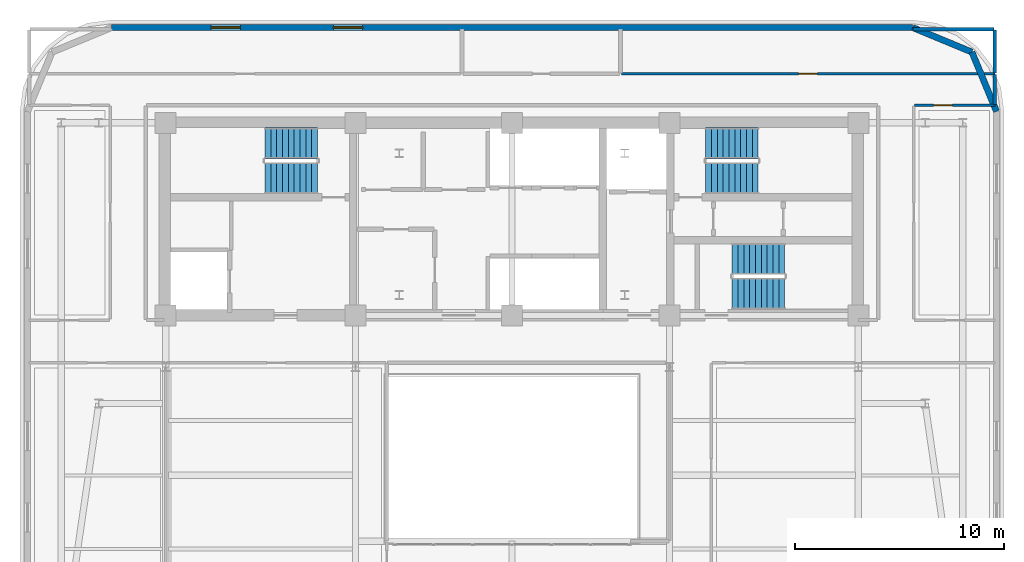
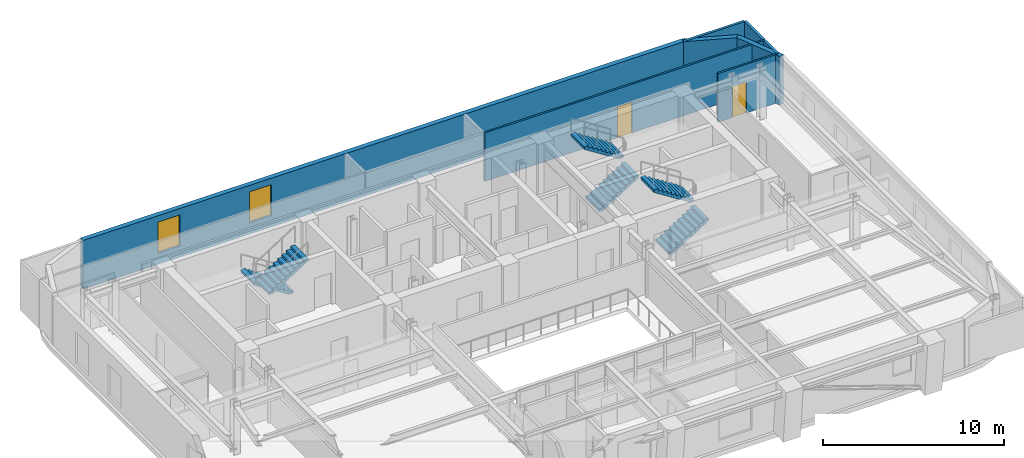
# One storey, part 9 of 13: 8 walls, 6 stair flights, 2 doors, 2 windows, 4 openings, 3 elements without a shape of their own.
"""IFC4 building model written with IfcOpenShell, lengths in metres."""

from ifc_helpers import new_model, si_unit, direction, frame, frame_2d, origin, place, context, subcontext, project, spatial, polyline, rectangle, outline, extrude, material, layer, layer_set, type_object, element, fill, aggregate, save


model = new_model("IFC4")

# Units and contexts
model_context = context("Model", 3, precision=1e-05, world=origin(), true_north=direction((0.0, 1.0)))
body_context = subcontext(model_context, "Body", "Model", "MODEL_VIEW")
ifc_project = project(units=[si_unit("LENGTHUNIT", "METRE"), si_unit("AREAUNIT", "SQUARE_METRE"), si_unit("VOLUMEUNIT", "CUBIC_METRE"), si_unit("PLANEANGLEUNIT", "RADIAN"), si_unit("MASSUNIT", "GRAM", prefix="KILO")], contexts=[model_context])

# Site, building, storey
site_placement = place(None, origin())
site = spatial("IfcSite", under=ifc_project, at=site_placement, CompositionType="ELEMENT")
building_placement = place(site_placement, origin())
building = spatial("IfcBuilding", under=site, at=building_placement, Name="Zarnavel Station Tower", CompositionType="ELEMENT")
storey_placement = place(building_placement, frame((0.0, 0.0, 180.300048828125)))
storey = spatial("IfcBuildingStorey", under=building, at=storey_placement, Name="L49", CompositionType="ELEMENT", Elevation=180.300048828125)

# Walls
ifc_material_1 = material(Name="Precast concrete C45/55 (Dark Basalt Finish)", Category="masonry")
ifc_layer_1 = layer(ifc_material_1, 0.300048828125)
ifc_layer_set_1 = layer_set([ifc_layer_1], Name="EW_BASALT_300")
wall_type_1 = type_object("IfcWallType", Name="EW_BASALT_300", PredefinedType="SOLIDWALL", material=ifc_layer_set_1)
for number, where, z_axis, x_axis, name in (
    (1, (50.842529296875, 40.442626953125, 0.0), (0.0, 0.0, 1.0), (0.382704529509, -0.923870793506, 0.0), "L49 Exterior Basalt Masonry Frame Wall 04"),
    (2, (48.0, 41.6201171875, 0.0), (0.0, 0.0, 1.0), (0.923870793506, -0.382704529509, 0.0), "L49 Exterior Basalt Masonry Frame Wall 05"),
):
    element("IfcWall", number, at=place(storey_placement, frame(where, z_axis=z_axis, x_axis=x_axis)), inside=storey, type_object=wall_type_1, Name=name, PredefinedType="SOLIDWALL", context=body_context, shape_type="SweptSolid", body=[
        extrude(rectangle(XDim=3.07666015625, YDim=0.300048828125, at=frame_2d((1.538330078125, 0.0))), origin(), (0.0, 0.0, 1.0), 3.2900390625),
    ])

# Wall, openings, windows
wall_1_placement = place(storey_placement, frame((9.60009765625, 41.6201171875, 0.0), z_axis=(0.0, 0.0, 1.0), x_axis=(1.0, 0.0, 0.0)))
wall_1 = element("IfcWall", 3, at=wall_1_placement, inside=storey, type_object=wall_type_1, Name="L49 Exterior Basalt Masonry Frame Wall 06", PredefinedType="SOLIDWALL", context=body_context, shape_type="SweptSolid", body=[
    extrude(rectangle(XDim=38.39990234375, YDim=0.300048828125, at=frame_2d((19.199951171875, 0.0))), origin(), (0.0, 0.0, 1.0), 3.2900390625),
])
opening_1_placement = place(wall_1_placement, frame((4.780029296875, 0.0, 0.75)))
opening_1 = element("IfcOpeningElement", 4, at=opening_1_placement, cuts=wall_1, Name="Opening WN04", PredefinedType="OPENING", context=body_context, shape_type="SweptSolid", body=[
    extrude(rectangle(XDim=1.39990234375, YDim=2.10009765625, at=frame_2d((0.699951171875, 1.050048828125))), frame((0.0, 0.159912109375, 0.0), z_axis=(0.0, -1.0, 0.0), x_axis=(1.0, 0.0, 0.0)), (0.0, 0.0, 1.0), 0.320068359375),
])
opening_2_placement = place(wall_1_placement, frame((10.639892578125, 0.0, 0.75)))
opening_2 = element("IfcOpeningElement", 5, at=opening_2_placement, cuts=wall_1, Name="Opening WN04", PredefinedType="OPENING", context=body_context, shape_type="SweptSolid", body=[
    extrude(rectangle(XDim=1.39990234375, YDim=2.10009765625, at=frame_2d((0.699951171875, 1.050048828125))), frame((0.0, 0.159912109375, 0.0), z_axis=(0.0, -1.0, 0.0), x_axis=(1.0, 0.0, 0.0)), (0.0, 0.0, 1.0), 0.320068359375),
])
ifc_material_2 = material(Name="Thermally Broken Black Aluminium and Low-E Dark Glass", Category="aluminium")
window_type = type_object("IfcWindowType", Name="WN_1400x2100", PartitioningType="DOUBLE_PANEL_VERTICAL", PredefinedType="WINDOW", material=ifc_material_2)
window_1_placement = place(opening_1_placement, origin())
window_1 = element("IfcWindow", 6, at=window_1_placement, inside=storey, type_object=window_type, Name="L49 Recessed Facade Window 01", OverallHeight=2.10009765625, OverallWidth=1.39990234375, PartitioningType="SINGLE_PANEL", PredefinedType="WINDOW", context=body_context, shape_type="SweptSolid", body=[
    extrude(rectangle(XDim=1.39990234375, YDim=2.10009765625, at=frame_2d((0.699951171875, 1.050048828125))), frame((0.0, 0.030029296875, 0.0), z_axis=(0.0, -1.0, 0.0), x_axis=(1.0, 0.0, 0.0)), (0.0, 0.0, 1.0), 0.06005859375),
])
fill(opening_1, window_1)
window_2_placement = place(opening_2_placement, origin())
window_2 = element("IfcWindow", 7, at=window_2_placement, inside=storey, type_object=window_type, Name="L49 Recessed Facade Window 02", OverallHeight=2.10009765625, OverallWidth=1.39990234375, PartitioningType="SINGLE_PANEL", PredefinedType="WINDOW", context=body_context, shape_type="SweptSolid", body=[
    extrude(rectangle(XDim=1.39990234375, YDim=2.10009765625, at=frame_2d((0.699951171875, 1.050048828125))), frame((0.0, 0.030029296875, 0.0), z_axis=(0.0, -1.0, 0.0), x_axis=(1.0, 0.0, 0.0)), (0.0, 0.0, 1.0), 0.06005859375),
])
fill(opening_2, window_2)

# Walls
ifc_material_3 = material(Name="Gypsum Twin-Stud Acoustic Fire Partition", Category="concrete")
ifc_layer_2 = layer(ifc_material_3, 0.159912109375)
ifc_layer_set_2 = layer_set([ifc_layer_2], Name="PT_DEMISE_160")
wall_type_2 = type_object("IfcWallType", Name="PT_DEMISE_160", PredefinedType="PARTITIONING", material=ifc_layer_set_2)
wall_2_placement = place(storey_placement, frame((51.93994140625, 37.929931640625, 0.0), z_axis=(0.0, 0.0, 1.0), x_axis=(0.0, 1.0, 0.0)))
element("IfcWall", 8, at=wall_2_placement, inside=storey, type_object=wall_type_2, Name="L49 Enclosure Wall COR-N", PredefinedType="PARTITIONING", context=body_context, shape_type="SweptSolid", body=[
    extrude(rectangle(XDim=1.440185546875, YDim=0.159912109375, at=frame_2d((0.72021484375, 0.0))), origin(), (0.0, 0.0, 1.0), 3.2900390625),
])
wall_3_placement = place(storey_placement, frame((48.030029296875, 41.5400390625, 0.0), z_axis=(0.0, 0.0, 1.0), x_axis=(1.0, 0.0, 0.0)))
element("IfcWall", 9, at=wall_3_placement, inside=storey, type_object=wall_type_2, Name="L49 Enclosure Wall NSTR", PredefinedType="PARTITIONING", context=body_context, shape_type="SweptSolid", body=[
    extrude(rectangle(XDim=3.8798828125, YDim=0.159912109375, at=frame_2d((1.93994140625, 0.0))), origin(), (0.0, 0.0, 1.0), 3.2900390625),
])
wall_4_placement = place(storey_placement, frame((51.93994140625, 39.429931640625, 0.0), z_axis=(0.0, 0.0, 1.0), x_axis=(0.0, 1.0, 0.0)))
element("IfcWall", 10, at=wall_4_placement, inside=storey, type_object=wall_type_2, Name="L49 Enclosure Wall NSTR", PredefinedType="PARTITIONING", context=body_context, shape_type="SweptSolid", body=[
    extrude(rectangle(XDim=2.080078125, YDim=0.159912109375, at=frame_2d((1.0400390625, 0.0))), origin(), (0.0, 0.0, 1.0), 3.2900390625),
])

# Wall, opening, door
ifc_material_4 = material(Name="Gypsum Metal-Stud Interior Partition", Category="concrete")
ifc_layer_3 = layer(ifc_material_4, 0.1201171875)
ifc_layer_set_3 = layer_set([ifc_layer_3], Name="PT_ROOM_120")
wall_type_3 = type_object("IfcWallType", Name="PT_ROOM_120", PredefinedType="PARTITIONING", material=ifc_layer_set_3)
wall_5_placement = place(storey_placement, frame((48.090087890625, 37.89990234375, 0.0), z_axis=(0.0, 0.0, 1.0), x_axis=(1.0, 0.0, 0.0)))
wall_5 = element("IfcWall", 11, at=wall_5_placement, inside=storey, type_object=wall_type_3, Name="L49 Partition COR-N-FNE", PredefinedType="PARTITIONING", context=body_context, shape_type="SweptSolid", body=[
    extrude(rectangle(XDim=3.849853515625, YDim=0.1201171875, at=frame_2d((1.9248046875, 0.0))), origin(), (0.0, 0.0, 1.0), 3.2900390625),
])
opening_3_placement = place(wall_5_placement, frame((0.918701171875, 0.0, 0.0)))
opening_3 = element("IfcOpeningElement", 12, at=opening_3_placement, cuts=wall_5, Name="Opening ID01", PredefinedType="OPENING", context=body_context, shape_type="SweptSolid", body=[
    extrude(rectangle(XDim=0.89990234375, YDim=2.10009765625, at=frame_2d((0.449951171875, 1.050048828125))), frame((0.0, 0.070068359375, 0.0), z_axis=(0.0, -1.0, 0.0), x_axis=(1.0, 0.0, 0.0)), (0.0, 0.0, 1.0), 0.14013671875),
])
ifc_material_5 = material(Name="Painted Galvanised Steel and Hardwood Leaf", Category="steel")
door_type = type_object("IfcDoorType", Name="ID_ROOM_900", OperationType="NOTDEFINED", PredefinedType="DOOR", material=ifc_material_5)
door_1_placement = place(opening_3_placement, origin())
door_1 = element("IfcDoor", 13, at=door_1_placement, inside=storey, type_object=door_type, Name="L49 Door COR-N-FNE", OperationType="SINGLE_SWING_RIGHT", OverallHeight=2.10009765625, OverallWidth=0.89990234375, PredefinedType="DOOR", context=body_context, shape_type="SweptSolid", body=[
    extrude(rectangle(XDim=0.89990234375, YDim=2.10009765625, at=frame_2d((0.449951171875, 1.050048828125))), frame((0.0, 0.02490234375, 0.0), z_axis=(0.0, -1.0, 0.0), x_axis=(1.0, 0.0, 0.0)), (0.0, 0.0, 1.0), 0.050048828125),
])
fill(opening_3, door_1)

wall_6_placement = place(storey_placement, frame((34.0400390625, 39.39990234375, 0.0), z_axis=(0.0, 0.0, 1.0), x_axis=(1.0, 0.0, 0.0)))
wall_6 = element("IfcWall", 14, at=wall_6_placement, inside=storey, type_object=wall_type_3, Name="L49 Partition COR-N-NSTR", PredefinedType="PARTITIONING", context=body_context, shape_type="SweptSolid", body=[
    extrude(rectangle(XDim=17.89990234375, YDim=0.1201171875, at=frame_2d((8.949951171875, 0.0))), origin(), (0.0, 0.0, 1.0), 3.2900390625),
])
opening_4_placement = place(wall_6_placement, frame((8.5, 0.0, 0.0)))
opening_4 = element("IfcOpeningElement", 15, at=opening_4_placement, cuts=wall_6, Name="Opening ID01", PredefinedType="OPENING", context=body_context, shape_type="SweptSolid", body=[
    extrude(rectangle(XDim=0.89990234375, YDim=2.10009765625, at=frame_2d((0.449951171875, 1.050048828125))), frame((0.0, 0.070068359375, 0.0), z_axis=(0.0, -1.0, 0.0), x_axis=(1.0, 0.0, 0.0)), (0.0, 0.0, 1.0), 0.14013671875),
])
door_2_placement = place(opening_4_placement, origin())
door_2 = element("IfcDoor", 16, at=door_2_placement, inside=storey, type_object=door_type, Name="L49 Door COR-N-NSTR", OperationType="SINGLE_SWING_LEFT", OverallHeight=2.10009765625, OverallWidth=0.89990234375, PredefinedType="DOOR", context=body_context, shape_type="SweptSolid", body=[
    extrude(rectangle(XDim=0.89990234375, YDim=2.10009765625, at=frame_2d((0.449951171875, 1.050048828125))), frame((0.0, 0.02490234375, 0.0), z_axis=(0.0, -1.0, 0.0), x_axis=(1.0, 0.0, 0.0)), (0.0, 0.0, 1.0), 0.050048828125),
])
fill(opening_4, door_2)

# Stair, stair flights
ifc_material_6 = material(Name="Concrete C45/55", Category="concrete")
stair_type = type_object("IfcStairType", Name="ST_CORE_150", PredefinedType="HALF_TURN_STAIR", material=ifc_material_6)
stair_1_placement = place(storey_placement, origin())
stair_1 = element("IfcStair", 17, at=stair_1_placement, inside=storey, type_object=stair_type, Name="L49 Core Exit Stair ST1", PredefinedType="HALF_TURN_STAIR")
ifc_material_7 = material(Name="Concrete C45/55", Category="concrete")
ifc_layer_4 = layer(ifc_material_7, 0.179931640625)
ifc_layer_set_4 = layer_set([ifc_layer_4], Name="ST_CORE_150_FLT")
stair_flight_type = type_object("IfcStairFlightType", Name="ST_CORE_150_FLT", PredefinedType="STRAIGHT", material=ifc_layer_set_4)
stair_flight_1_placement = place(storey_placement, frame((19.47998046875, 36.070068359375, 0.0), z_axis=(0.0, 0.0, 1.0), x_axis=(-1.0, 0.0, 0.0)))
stair_flight_1 = element("IfcStairFlight", 18, at=stair_flight_1_placement, type_object=stair_flight_type, Name="ST1 flight 1", NumberOfRisers=10, NumberOfTreads=9, PredefinedType="STRAIGHT", RiserHeight=0.1775, TreadLength=0.28, context=body_context, shape_type="SweptSolid", body=[
    extrude(outline(polyline([(0.0, 0.0), (0.0, 0.177490234375), (0.280029296875, 0.177490234375), (0.280029296875, 0.35498046875), (0.56005859375, 0.35498046875), (0.56005859375, 0.532470703125), (0.840087890625, 0.532470703125), (0.840087890625, 0.7099609375), (1.1201171875, 0.7099609375), (1.1201171875, 0.887451171875), (1.39990234375, 0.887451171875), (1.39990234375, 1.06494140625), (1.679931640625, 1.06494140625), (1.679931640625, 1.242431640625), (1.9599609375, 1.242431640625), (1.9599609375, 1.419921875), (2.239990234375, 1.419921875), (2.239990234375, 1.597412109375), (2.52001953125, 1.597412109375), (2.52001953125, 1.77490234375), (2.52001953125, 1.419921875), (0.280029296875, 0.0), (0.0, 0.0)])), frame((0.0, 0.75, 0.0), z_axis=(0.0, -1.0, 0.0), x_axis=(1.0, 0.0, 0.0)), (0.0, 0.0, 1.0), 1.5),
])
stair_flight_2_placement = place(storey_placement, frame((16.9599609375, 34.409912109375, 1.77490234375), z_axis=(0.0, 0.0, 1.0), x_axis=(1.0, 0.0, 0.0)))
stair_flight_2 = element("IfcStairFlight", 19, at=stair_flight_2_placement, type_object=stair_flight_type, Name="ST1 flight 2", NumberOfRisers=10, NumberOfTreads=9, PredefinedType="STRAIGHT", RiserHeight=0.1775, TreadLength=0.28, context=body_context, shape_type="SweptSolid", body=[
    extrude(outline(polyline([(0.0, 0.0), (0.0, 0.177490234375), (0.280029296875, 0.177490234375), (0.280029296875, 0.35498046875), (0.56005859375, 0.35498046875), (0.56005859375, 0.532470703125), (0.840087890625, 0.532470703125), (0.840087890625, 0.7099609375), (1.1201171875, 0.7099609375), (1.1201171875, 0.887451171875), (1.39990234375, 0.887451171875), (1.39990234375, 1.06494140625), (1.679931640625, 1.06494140625), (1.679931640625, 1.242431640625), (1.9599609375, 1.242431640625), (1.9599609375, 1.419921875), (2.239990234375, 1.419921875), (2.239990234375, 1.597412109375), (2.52001953125, 1.597412109375), (2.52001953125, 1.77490234375), (2.52001953125, 1.419921875), (0.280029296875, 0.0), (0.0, 0.0)])), frame((0.0, 0.75, 0.0), z_axis=(0.0, -1.0, 0.0), x_axis=(1.0, 0.0, 0.0)), (0.0, 0.0, 1.0), 1.5),
])
aggregate(stair_1, [stair_flight_1, stair_flight_2])

stair_2_placement = place(storey_placement, origin())
stair_2 = element("IfcStair", 20, at=stair_2_placement, inside=storey, type_object=stair_type, Name="L49 Core Exit Stair ST2", PredefinedType="HALF_TURN_STAIR")
stair_flight_3_placement = place(storey_placement, frame((38.080078125, 34.409912109375, 0.0), z_axis=(0.0, 0.0, 1.0), x_axis=(1.0, 0.0, 0.0)))
stair_flight_3 = element("IfcStairFlight", 21, at=stair_flight_3_placement, type_object=stair_flight_type, Name="ST2 flight 1", NumberOfRisers=10, NumberOfTreads=9, PredefinedType="STRAIGHT", RiserHeight=0.1775, TreadLength=0.28, context=body_context, shape_type="SweptSolid", body=[
    extrude(outline(polyline([(0.0, 0.0), (0.0, 0.177490234375), (0.280029296875, 0.177490234375), (0.280029296875, 0.35498046875), (0.56005859375, 0.35498046875), (0.56005859375, 0.532470703125), (0.840087890625, 0.532470703125), (0.840087890625, 0.7099609375), (1.1201171875, 0.7099609375), (1.1201171875, 0.887451171875), (1.39990234375, 0.887451171875), (1.39990234375, 1.06494140625), (1.679931640625, 1.06494140625), (1.679931640625, 1.242431640625), (1.9599609375, 1.242431640625), (1.9599609375, 1.419921875), (2.239990234375, 1.419921875), (2.239990234375, 1.597412109375), (2.52001953125, 1.597412109375), (2.52001953125, 1.77490234375), (2.52001953125, 1.419921875), (0.280029296875, 0.0), (0.0, 0.0)])), frame((0.0, 0.75, 0.0), z_axis=(0.0, -1.0, 0.0), x_axis=(1.0, 0.0, 0.0)), (0.0, 0.0, 1.0), 1.5),
])
stair_flight_4_placement = place(storey_placement, frame((40.60009765625, 36.070068359375, 1.77490234375), z_axis=(0.0, 0.0, 1.0), x_axis=(-1.0, 0.0, 0.0)))
stair_flight_4 = element("IfcStairFlight", 22, at=stair_flight_4_placement, type_object=stair_flight_type, Name="ST2 flight 2", NumberOfRisers=10, NumberOfTreads=9, PredefinedType="STRAIGHT", RiserHeight=0.1775, TreadLength=0.28, context=body_context, shape_type="SweptSolid", body=[
    extrude(outline(polyline([(0.0, 0.0), (0.0, 0.177490234375), (0.280029296875, 0.177490234375), (0.280029296875, 0.35498046875), (0.56005859375, 0.35498046875), (0.56005859375, 0.532470703125), (0.840087890625, 0.532470703125), (0.840087890625, 0.7099609375), (1.1201171875, 0.7099609375), (1.1201171875, 0.887451171875), (1.39990234375, 0.887451171875), (1.39990234375, 1.06494140625), (1.679931640625, 1.06494140625), (1.679931640625, 1.242431640625), (1.9599609375, 1.242431640625), (1.9599609375, 1.419921875), (2.239990234375, 1.419921875), (2.239990234375, 1.597412109375), (2.52001953125, 1.597412109375), (2.52001953125, 1.77490234375), (2.52001953125, 1.419921875), (0.280029296875, 0.0), (0.0, 0.0)])), frame((0.0, 0.75, 0.0), z_axis=(0.0, -1.0, 0.0), x_axis=(1.0, 0.0, 0.0)), (0.0, 0.0, 1.0), 1.5),
])
aggregate(stair_2, [stair_flight_3, stair_flight_4])

stair_3_placement = place(storey_placement, origin())
stair_3 = element("IfcStair", 23, at=stair_3_placement, inside=storey, type_object=stair_type, Name="L49 Core Exit Stair ST3", PredefinedType="HALF_TURN_STAIR")
stair_flight_5_placement = place(storey_placement, frame((39.35009765625, 28.8701171875, 0.0), z_axis=(0.0, 0.0, 1.0), x_axis=(1.0, 0.0, 0.0)))
stair_flight_5 = element("IfcStairFlight", 24, at=stair_flight_5_placement, type_object=stair_flight_type, Name="ST3 flight 1", NumberOfRisers=10, NumberOfTreads=9, PredefinedType="STRAIGHT", RiserHeight=0.1775, TreadLength=0.28, context=body_context, shape_type="SweptSolid", body=[
    extrude(outline(polyline([(0.0, 0.0), (0.0, 0.177490234375), (0.280029296875, 0.177490234375), (0.280029296875, 0.35498046875), (0.56005859375, 0.35498046875), (0.56005859375, 0.532470703125), (0.840087890625, 0.532470703125), (0.840087890625, 0.7099609375), (1.1201171875, 0.7099609375), (1.1201171875, 0.887451171875), (1.39990234375, 0.887451171875), (1.39990234375, 1.06494140625), (1.679931640625, 1.06494140625), (1.679931640625, 1.242431640625), (1.9599609375, 1.242431640625), (1.9599609375, 1.419921875), (2.239990234375, 1.419921875), (2.239990234375, 1.597412109375), (2.52001953125, 1.597412109375), (2.52001953125, 1.77490234375), (2.52001953125, 1.419921875), (0.280029296875, 0.0), (0.0, 0.0)])), frame((0.0, 0.75, 0.0), z_axis=(0.0, -1.0, 0.0), x_axis=(1.0, 0.0, 0.0)), (0.0, 0.0, 1.0), 1.5),
])
stair_flight_6_placement = place(storey_placement, frame((41.8701171875, 30.530029296875, 1.77490234375), z_axis=(0.0, 0.0, 1.0), x_axis=(-1.0, 0.0, 0.0)))
stair_flight_6 = element("IfcStairFlight", 25, at=stair_flight_6_placement, type_object=stair_flight_type, Name="ST3 flight 2", NumberOfRisers=10, NumberOfTreads=9, PredefinedType="STRAIGHT", RiserHeight=0.1775, TreadLength=0.28, context=body_context, shape_type="SweptSolid", body=[
    extrude(outline(polyline([(0.0, 0.0), (0.0, 0.177490234375), (0.280029296875, 0.177490234375), (0.280029296875, 0.35498046875), (0.56005859375, 0.35498046875), (0.56005859375, 0.532470703125), (0.840087890625, 0.532470703125), (0.840087890625, 0.7099609375), (1.1201171875, 0.7099609375), (1.1201171875, 0.887451171875), (1.39990234375, 0.887451171875), (1.39990234375, 1.06494140625), (1.679931640625, 1.06494140625), (1.679931640625, 1.242431640625), (1.9599609375, 1.242431640625), (1.9599609375, 1.419921875), (2.239990234375, 1.419921875), (2.239990234375, 1.597412109375), (2.52001953125, 1.597412109375), (2.52001953125, 1.77490234375), (2.52001953125, 1.419921875), (0.280029296875, 0.0), (0.0, 0.0)])), frame((0.0, 0.75, 0.0), z_axis=(0.0, -1.0, 0.0), x_axis=(1.0, 0.0, 0.0)), (0.0, 0.0, 1.0), 1.5),
])
aggregate(stair_3, [stair_flight_5, stair_flight_6])

save(model, "model.ifc")
